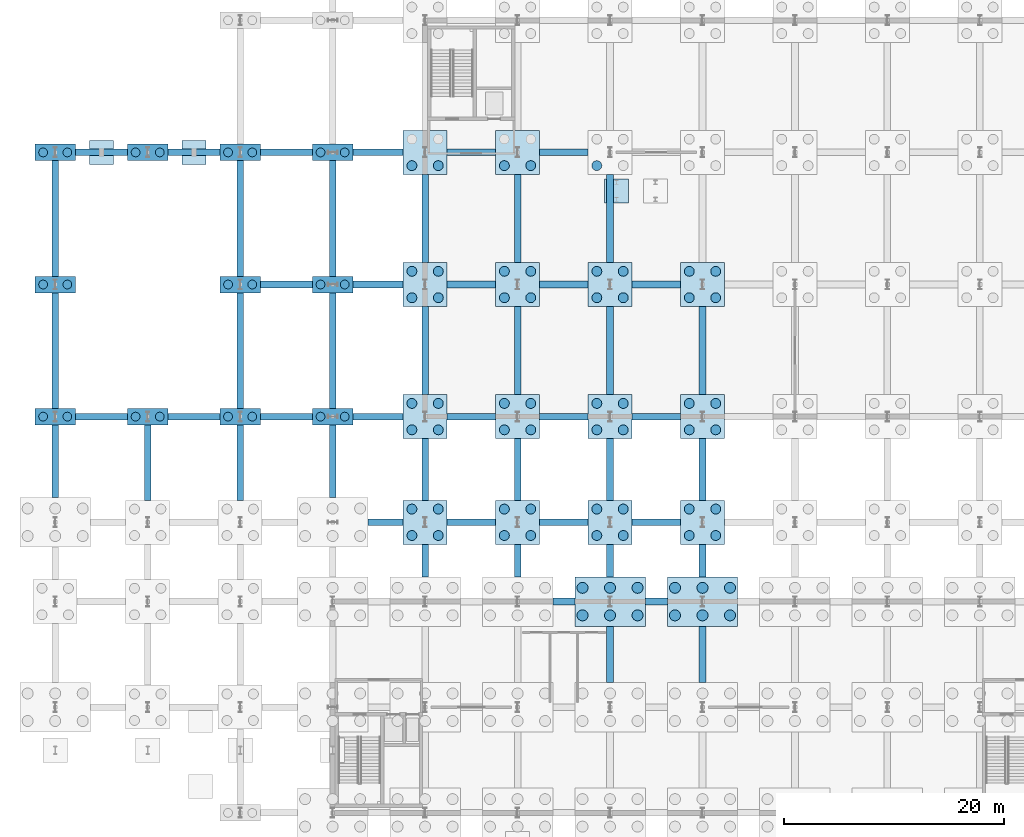
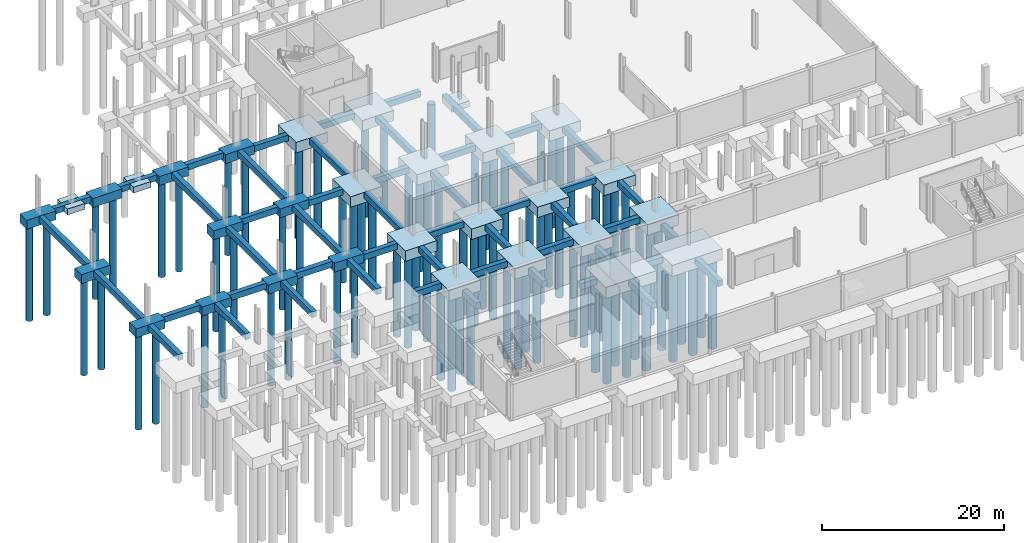
# One storey, part 2 of 29: 87 piles, 81 footings.
"""IFC4 building model written with IfcOpenShell, lengths in metres."""

from ifc_helpers import new_model, si_unit, direction, frame, origin, origin_2d, place, context, subcontext, project, spatial, rectangle, circle, extrude, material, material_profile, profile_set, type_object, element, save


model = new_model("IFC4")

# Units and contexts
model_context = context("Model", 3, precision=1e-05, world=origin(), true_north=direction((0.0, 1.0)))
body_context = subcontext(model_context, "Body", "Model", "MODEL_VIEW")
ifc_project = project(units=[si_unit("LENGTHUNIT", "METRE"), si_unit("AREAUNIT", "SQUARE_METRE"), si_unit("VOLUMEUNIT", "CUBIC_METRE"), si_unit("PLANEANGLEUNIT", "RADIAN"), si_unit("MASSUNIT", "GRAM", prefix="KILO")], contexts=[model_context])

# Site, building, storey
site_placement = place(None, origin())
site = spatial("IfcSite", under=ifc_project, at=site_placement, CompositionType="ELEMENT")
building_placement = place(site_placement, origin())
building = spatial("IfcBuilding", under=site, at=building_placement, Name="Veltarok Museum of Natural Sciences", CompositionType="ELEMENT")
storey_placement = place(building_placement, frame((0.0, 0.0, -4.800048828125)))
storey = spatial("IfcBuildingStorey", under=building, at=storey_placement, Name="B1", CompositionType="ELEMENT", Elevation=-4.800048828125)

# Piles
ifc_material = material(Name="Concrete C35/45", Category="concrete")
ifc_material_profile_1 = material_profile(ifc_material, circle(Radius=0.5, at=origin_2d()), Name="BP D1000")
ifc_profile_set_1 = profile_set([ifc_material_profile_1], Name="Concrete C35/45")
pile_type_1 = type_object("IfcPileType", Name="Bored Bedrock Pile D1000", PredefinedType="BORED", material=ifc_profile_set_1)
for number, where, z_axis, x_axis, name in (
    (1, (54.300048828125, 17.949951171875, -1.89990234375), (0.0, 0.0, -1.0), (1.0, 0.0, 0.0), "Bored Pile BP-1000 199"),
    (2, (56.800048828125, 17.949951171875, -1.89990234375), (0.0, 0.0, -1.0), (1.0, 0.0, 0.0), "Bored Pile BP-1000 200"),
    (3, (59.300048828125, 17.949951171875, -1.89990234375), (0.0, 0.0, -1.0), (1.0, 0.0, 0.0), "Bored Pile BP-1000 201"),
    (4, (54.300048828125, 20.449951171875, -1.89990234375), (0.0, 0.0, -1.0), (1.0, 0.0, 0.0), "Bored Pile BP-1000 202"),
    (5, (56.800048828125, 20.449951171875, -1.89990234375), (0.0, 0.0, -1.0), (1.0, 0.0, 0.0), "Bored Pile BP-1000 203"),
    (6, (59.300048828125, 20.449951171875, -1.89990234375), (0.0, 0.0, -1.0), (1.0, 0.0, 0.0), "Bored Pile BP-1000 204"),
    (7, (62.699951171875, 17.949951171875, -1.89990234375), (0.0, 0.0, -1.0), (1.0, 0.0, 0.0), "Bored Pile BP-1000 245"),
    (8, (65.199951171875, 17.949951171875, -1.89990234375), (0.0, 0.0, -1.0), (1.0, 0.0, 0.0), "Bored Pile BP-1000 246"),
    (9, (67.699951171875, 17.949951171875, -1.89990234375), (0.0, 0.0, -1.0), (1.0, 0.0, 0.0), "Bored Pile BP-1000 247"),
    (10, (62.699951171875, 20.449951171875, -1.89990234375), (0.0, 0.0, -1.0), (1.0, 0.0, 0.0), "Bored Pile BP-1000 248"),
    (11, (65.199951171875, 20.449951171875, -1.89990234375), (0.0, 0.0, -1.0), (1.0, 0.0, 0.0), "Bored Pile BP-1000 249"),
    (12, (67.699951171875, 20.449951171875, -1.89990234375), (0.0, 0.0, -1.0), (1.0, 0.0, 0.0), "Bored Pile BP-1000 250"),
):
    element("IfcPile", number, at=place(storey_placement, frame(where, z_axis=z_axis, x_axis=x_axis)), inside=storey, type_object=pile_type_1, Name=name, PredefinedType="BORED", context=body_context, shape_type="SweptSolid", body=[
        extrude(circle(Radius=0.5, at=origin_2d()), origin(), (0.0, 0.0, 1.0), 12.10009765625),
    ])
ifc_material_profile_2 = material_profile(ifc_material, circle(Radius=0.39990234375, at=origin_2d()), Name="BP D800")
ifc_profile_set_2 = profile_set([ifc_material_profile_2], Name="Concrete C35/45")
pile_type_2 = type_object("IfcPileType", Name="Bored Bedrock Pile D800", PredefinedType="BORED", material=ifc_profile_set_2)
for number, where, z_axis, x_axis, name in (
    (13, (5.300048828125, 36.0, -1.099853515625), (0.0, 0.0, -1.0), (1.0, 0.0, 0.0), "Bored Pile BP-800 17"),
    (14, (7.5, 36.0, -1.099853515625), (0.0, 0.0, -1.0), (1.0, 0.0, 0.0), "Bored Pile BP-800 18"),
    (15, (5.300048828125, 48.0, -1.099853515625), (0.0, 0.0, -1.0), (1.0, 0.0, 0.0), "Bored Pile BP-800 19"),
    (16, (7.5, 48.0, -1.099853515625), (0.0, 0.0, -1.0), (1.0, 0.0, 0.0), "Bored Pile BP-800 20"),
    (17, (5.300048828125, 60.0, -1.099853515625), (0.0, 0.0, -1.0), (1.0, 0.0, 0.0), "Bored Pile BP-800 21"),
    (18, (7.5, 60.0, -1.099853515625), (0.0, 0.0, -1.0), (1.0, 0.0, 0.0), "Bored Pile BP-800 22"),
    (19, (13.699951171875, 36.0, -1.099853515625), (0.0, 0.0, -1.0), (1.0, 0.0, 0.0), "Bored Pile BP-800 35"),
    (20, (15.89990234375, 36.0, -1.099853515625), (0.0, 0.0, -1.0), (1.0, 0.0, 0.0), "Bored Pile BP-800 36"),
    (21, (13.699951171875, 60.0, -1.099853515625), (0.0, 0.0, -1.0), (1.0, 0.0, 0.0), "Bored Pile BP-800 37"),
    (22, (15.89990234375, 60.0, -1.099853515625), (0.0, 0.0, -1.0), (1.0, 0.0, 0.0), "Bored Pile BP-800 38"),
    (23, (22.10009765625, 36.0, -1.099853515625), (0.0, 0.0, -1.0), (1.0, 0.0, 0.0), "Bored Pile BP-800 53"),
    (24, (24.300048828125, 36.0, -1.099853515625), (0.0, 0.0, -1.0), (1.0, 0.0, 0.0), "Bored Pile BP-800 54"),
    (25, (22.10009765625, 48.0, -1.099853515625), (0.0, 0.0, -1.0), (1.0, 0.0, 0.0), "Bored Pile BP-800 55"),
    (26, (24.300048828125, 48.0, -1.099853515625), (0.0, 0.0, -1.0), (1.0, 0.0, 0.0), "Bored Pile BP-800 56"),
    (27, (22.10009765625, 60.0, -1.099853515625), (0.0, 0.0, -1.0), (1.0, 0.0, 0.0), "Bored Pile BP-800 57"),
    (28, (24.300048828125, 60.0, -1.099853515625), (0.0, 0.0, -1.0), (1.0, 0.0, 0.0), "Bored Pile BP-800 58"),
    (29, (30.5, 36.0, -1.099853515625), (0.0, 0.0, -1.0), (1.0, 0.0, 0.0), "Bored Pile BP-800 85"),
    (30, (32.699951171875, 36.0, -1.099853515625), (0.0, 0.0, -1.0), (1.0, 0.0, 0.0), "Bored Pile BP-800 86"),
    (31, (30.5, 48.0, -1.099853515625), (0.0, 0.0, -1.0), (1.0, 0.0, 0.0), "Bored Pile BP-800 87"),
    (32, (32.699951171875, 48.0, -1.099853515625), (0.0, 0.0, -1.0), (1.0, 0.0, 0.0), "Bored Pile BP-800 88"),
    (33, (30.5, 60.0, -1.099853515625), (0.0, 0.0, -1.0), (1.0, 0.0, 0.0), "Bored Pile BP-800 89"),
    (34, (32.699951171875, 60.0, -1.099853515625), (0.0, 0.0, -1.0), (1.0, 0.0, 0.0), "Bored Pile BP-800 90"),
):
    element("IfcPile", number, at=place(storey_placement, frame(where, z_axis=z_axis, x_axis=x_axis)), inside=storey, type_object=pile_type_2, Name=name, PredefinedType="BORED", context=body_context, shape_type="SweptSolid", body=[
        extrude(circle(Radius=0.39990234375, at=origin_2d()), origin(), (0.0, 0.0, 1.0), 12.89990234375),
    ])
ifc_material_profile_3 = material_profile(ifc_material, circle(Radius=0.449951171875, at=origin_2d()), Name="BP D900")
ifc_profile_set_3 = profile_set([ifc_material_profile_3], Name="Concrete C35/45")
pile_type_3 = type_object("IfcPileType", Name="Bored Bedrock Pile D900", PredefinedType="BORED", material=ifc_profile_set_3)
for number, where, z_axis, x_axis, name in (
    (35, (38.800048828125, 25.199951171875, -1.300048828125), (0.0, 0.0, -1.0), (1.0, 0.0, 0.0), "Bored Pile BP-900 117"),
    (36, (41.199951171875, 25.199951171875, -1.300048828125), (0.0, 0.0, -1.0), (1.0, 0.0, 0.0), "Bored Pile BP-900 118"),
    (37, (38.800048828125, 27.60009765625, -1.300048828125), (0.0, 0.0, -1.0), (1.0, 0.0, 0.0), "Bored Pile BP-900 119"),
    (38, (41.199951171875, 27.60009765625, -1.300048828125), (0.0, 0.0, -1.0), (1.0, 0.0, 0.0), "Bored Pile BP-900 120"),
):
    element("IfcPile", number, at=place(storey_placement, frame(where, z_axis=z_axis, x_axis=x_axis)), inside=storey, type_object=pile_type_3, Name=name, PredefinedType="BORED", context=body_context, shape_type="SweptSolid", body=[
        extrude(circle(Radius=0.449951171875, at=origin_2d()), origin(), (0.0, 0.0, 1.0), 12.699951171875),
    ])
for number, where, z_axis, x_axis, name in (
    (39, (38.800048828125, 34.800048828125, -1.800048828125), (0.0, 0.0, -1.0), (1.0, 0.0, 0.0), "Bored Pile BP-900 121"),
    (40, (41.199951171875, 34.800048828125, -1.800048828125), (0.0, 0.0, -1.0), (1.0, 0.0, 0.0), "Bored Pile BP-900 122"),
    (41, (38.800048828125, 37.199951171875, -1.800048828125), (0.0, 0.0, -1.0), (1.0, 0.0, 0.0), "Bored Pile BP-900 123"),
    (42, (41.199951171875, 37.199951171875, -1.800048828125), (0.0, 0.0, -1.0), (1.0, 0.0, 0.0), "Bored Pile BP-900 124"),
    (43, (38.800048828125, 46.800048828125, -1.800048828125), (0.0, 0.0, -1.0), (1.0, 0.0, 0.0), "Bored Pile BP-900 125"),
    (44, (41.199951171875, 46.800048828125, -1.800048828125), (0.0, 0.0, -1.0), (1.0, 0.0, 0.0), "Bored Pile BP-900 126"),
    (45, (38.800048828125, 49.199951171875, -1.800048828125), (0.0, 0.0, -1.0), (1.0, 0.0, 0.0), "Bored Pile BP-900 127"),
    (46, (41.199951171875, 49.199951171875, -1.800048828125), (0.0, 0.0, -1.0), (1.0, 0.0, 0.0), "Bored Pile BP-900 128"),
    (47, (38.800048828125, 58.800048828125, -1.800048828125), (0.0, 0.0, -1.0), (1.0, 0.0, 0.0), "Bored Pile BP-900 129"),
    (48, (41.199951171875, 58.800048828125, -1.800048828125), (0.0, 0.0, -1.0), (1.0, 0.0, 0.0), "Bored Pile BP-900 130"),
):
    element("IfcPile", number, at=place(storey_placement, frame(where, z_axis=z_axis, x_axis=x_axis)), inside=storey, type_object=pile_type_3, Name=name, PredefinedType="BORED", context=body_context, shape_type="SweptSolid", body=[
        extrude(circle(Radius=0.449951171875, at=origin_2d()), origin(), (0.0, 0.0, 1.0), 12.199951171875),
    ])
for number, where, z_axis, x_axis, name in (
    (49, (47.199951171875, 25.199951171875, -1.300048828125), (0.0, 0.0, -1.0), (1.0, 0.0, 0.0), "Bored Pile BP-900 161"),
    (50, (49.60009765625, 25.199951171875, -1.300048828125), (0.0, 0.0, -1.0), (1.0, 0.0, 0.0), "Bored Pile BP-900 162"),
    (51, (47.199951171875, 27.60009765625, -1.300048828125), (0.0, 0.0, -1.0), (1.0, 0.0, 0.0), "Bored Pile BP-900 163"),
    (52, (49.60009765625, 27.60009765625, -1.300048828125), (0.0, 0.0, -1.0), (1.0, 0.0, 0.0), "Bored Pile BP-900 164"),
):
    element("IfcPile", number, at=place(storey_placement, frame(where, z_axis=z_axis, x_axis=x_axis)), inside=storey, type_object=pile_type_3, Name=name, PredefinedType="BORED", context=body_context, shape_type="SweptSolid", body=[
        extrude(circle(Radius=0.449951171875, at=origin_2d()), origin(), (0.0, 0.0, 1.0), 12.699951171875),
    ])
for number, where, z_axis, x_axis, name in (
    (53, (47.199951171875, 34.800048828125, -1.800048828125), (0.0, 0.0, -1.0), (1.0, 0.0, 0.0), "Bored Pile BP-900 165"),
    (54, (49.60009765625, 34.800048828125, -1.800048828125), (0.0, 0.0, -1.0), (1.0, 0.0, 0.0), "Bored Pile BP-900 166"),
    (55, (47.199951171875, 37.199951171875, -1.800048828125), (0.0, 0.0, -1.0), (1.0, 0.0, 0.0), "Bored Pile BP-900 167"),
    (56, (49.60009765625, 37.199951171875, -1.800048828125), (0.0, 0.0, -1.0), (1.0, 0.0, 0.0), "Bored Pile BP-900 168"),
    (57, (47.199951171875, 46.800048828125, -1.800048828125), (0.0, 0.0, -1.0), (1.0, 0.0, 0.0), "Bored Pile BP-900 169"),
    (58, (49.60009765625, 46.800048828125, -1.800048828125), (0.0, 0.0, -1.0), (1.0, 0.0, 0.0), "Bored Pile BP-900 170"),
    (59, (47.199951171875, 49.199951171875, -1.800048828125), (0.0, 0.0, -1.0), (1.0, 0.0, 0.0), "Bored Pile BP-900 171"),
    (60, (49.60009765625, 49.199951171875, -1.800048828125), (0.0, 0.0, -1.0), (1.0, 0.0, 0.0), "Bored Pile BP-900 172"),
    (61, (47.199951171875, 58.800048828125, -1.800048828125), (0.0, 0.0, -1.0), (1.0, 0.0, 0.0), "Bored Pile BP-900 173"),
    (62, (49.60009765625, 58.800048828125, -1.800048828125), (0.0, 0.0, -1.0), (1.0, 0.0, 0.0), "Bored Pile BP-900 174"),
):
    element("IfcPile", number, at=place(storey_placement, frame(where, z_axis=z_axis, x_axis=x_axis)), inside=storey, type_object=pile_type_3, Name=name, PredefinedType="BORED", context=body_context, shape_type="SweptSolid", body=[
        extrude(circle(Radius=0.449951171875, at=origin_2d()), origin(), (0.0, 0.0, 1.0), 12.199951171875),
    ])
for number, where, z_axis, x_axis, name in (
    (63, (55.60009765625, 25.199951171875, -1.300048828125), (0.0, 0.0, -1.0), (1.0, 0.0, 0.0), "Bored Pile BP-900 205"),
    (64, (58.0, 25.199951171875, -1.300048828125), (0.0, 0.0, -1.0), (1.0, 0.0, 0.0), "Bored Pile BP-900 206"),
    (65, (55.60009765625, 27.60009765625, -1.300048828125), (0.0, 0.0, -1.0), (1.0, 0.0, 0.0), "Bored Pile BP-900 207"),
    (66, (58.0, 27.60009765625, -1.300048828125), (0.0, 0.0, -1.0), (1.0, 0.0, 0.0), "Bored Pile BP-900 208"),
):
    element("IfcPile", number, at=place(storey_placement, frame(where, z_axis=z_axis, x_axis=x_axis)), inside=storey, type_object=pile_type_3, Name=name, PredefinedType="BORED", context=body_context, shape_type="SweptSolid", body=[
        extrude(circle(Radius=0.449951171875, at=origin_2d()), origin(), (0.0, 0.0, 1.0), 12.699951171875),
    ])
for number, where, z_axis, x_axis, name in (
    (67, (55.60009765625, 34.800048828125, -1.800048828125), (0.0, 0.0, -1.0), (1.0, 0.0, 0.0), "Bored Pile BP-900 209"),
    (68, (58.0, 34.800048828125, -1.800048828125), (0.0, 0.0, -1.0), (1.0, 0.0, 0.0), "Bored Pile BP-900 210"),
    (69, (55.60009765625, 37.199951171875, -1.800048828125), (0.0, 0.0, -1.0), (1.0, 0.0, 0.0), "Bored Pile BP-900 211"),
    (70, (58.0, 37.199951171875, -1.800048828125), (0.0, 0.0, -1.0), (1.0, 0.0, 0.0), "Bored Pile BP-900 212"),
    (71, (55.60009765625, 46.800048828125, -1.800048828125), (0.0, 0.0, -1.0), (1.0, 0.0, 0.0), "Bored Pile BP-900 213"),
    (72, (58.0, 46.800048828125, -1.800048828125), (0.0, 0.0, -1.0), (1.0, 0.0, 0.0), "Bored Pile BP-900 214"),
    (73, (55.60009765625, 49.199951171875, -1.800048828125), (0.0, 0.0, -1.0), (1.0, 0.0, 0.0), "Bored Pile BP-900 215"),
    (74, (58.0, 49.199951171875, -1.800048828125), (0.0, 0.0, -1.0), (1.0, 0.0, 0.0), "Bored Pile BP-900 216"),
    (75, (55.60009765625, 58.800048828125, -1.800048828125), (0.0, 0.0, -1.0), (1.0, 0.0, 0.0), "Bored Pile BP-900 217"),
):
    element("IfcPile", number, at=place(storey_placement, frame(where, z_axis=z_axis, x_axis=x_axis)), inside=storey, type_object=pile_type_3, Name=name, PredefinedType="BORED", context=body_context, shape_type="SweptSolid", body=[
        extrude(circle(Radius=0.449951171875, at=origin_2d()), origin(), (0.0, 0.0, 1.0), 12.199951171875),
    ])
for number, where, z_axis, x_axis, name in (
    (76, (64.0, 25.199951171875, -1.300048828125), (0.0, 0.0, -1.0), (1.0, 0.0, 0.0), "Bored Pile BP-900 251"),
    (77, (66.39990234375, 25.199951171875, -1.300048828125), (0.0, 0.0, -1.0), (1.0, 0.0, 0.0), "Bored Pile BP-900 252"),
    (78, (64.0, 27.60009765625, -1.300048828125), (0.0, 0.0, -1.0), (1.0, 0.0, 0.0), "Bored Pile BP-900 253"),
    (79, (66.39990234375, 27.60009765625, -1.300048828125), (0.0, 0.0, -1.0), (1.0, 0.0, 0.0), "Bored Pile BP-900 254"),
):
    element("IfcPile", number, at=place(storey_placement, frame(where, z_axis=z_axis, x_axis=x_axis)), inside=storey, type_object=pile_type_3, Name=name, PredefinedType="BORED", context=body_context, shape_type="SweptSolid", body=[
        extrude(circle(Radius=0.449951171875, at=origin_2d()), origin(), (0.0, 0.0, 1.0), 12.699951171875),
    ])
for number, where, z_axis, x_axis, name in (
    (80, (64.0, 34.800048828125, -1.800048828125), (0.0, 0.0, -1.0), (1.0, 0.0, 0.0), "Bored Pile BP-900 255"),
    (81, (66.39990234375, 34.800048828125, -1.800048828125), (0.0, 0.0, -1.0), (1.0, 0.0, 0.0), "Bored Pile BP-900 256"),
    (82, (64.0, 37.199951171875, -1.800048828125), (0.0, 0.0, -1.0), (1.0, 0.0, 0.0), "Bored Pile BP-900 257"),
    (83, (66.39990234375, 37.199951171875, -1.800048828125), (0.0, 0.0, -1.0), (1.0, 0.0, 0.0), "Bored Pile BP-900 258"),
    (84, (64.0, 46.800048828125, -1.800048828125), (0.0, 0.0, -1.0), (1.0, 0.0, 0.0), "Bored Pile BP-900 259"),
    (85, (66.39990234375, 46.800048828125, -1.800048828125), (0.0, 0.0, -1.0), (1.0, 0.0, 0.0), "Bored Pile BP-900 260"),
    (86, (64.0, 49.199951171875, -1.800048828125), (0.0, 0.0, -1.0), (1.0, 0.0, 0.0), "Bored Pile BP-900 261"),
    (87, (66.39990234375, 49.199951171875, -1.800048828125), (0.0, 0.0, -1.0), (1.0, 0.0, 0.0), "Bored Pile BP-900 262"),
):
    element("IfcPile", number, at=place(storey_placement, frame(where, z_axis=z_axis, x_axis=x_axis)), inside=storey, type_object=pile_type_3, Name=name, PredefinedType="BORED", context=body_context, shape_type="SweptSolid", body=[
        extrude(circle(Radius=0.449951171875, at=origin_2d()), origin(), (0.0, 0.0, 1.0), 12.199951171875),
    ])

# Footings
footing_type_1 = type_object("IfcFootingType", Name="Canopy Pad Footing 2200x2200x800", PredefinedType="PAD_FOOTING", material=ifc_material)
for number, where, z_axis, x_axis, name in (
    (88, (10.60009765625, 60.0, -0.7998046875), (0.0, 0.0, 1.0), (1.0, 0.0, 0.0), "Pilaster Pad Footing 1"),
    (89, (19.0, 60.0, -0.7998046875), (0.0, 0.0, 1.0), (1.0, 0.0, 0.0), "Pilaster Pad Footing 2"),
    (90, (57.39990234375, 56.5048828125, -1.2998046875), (0.0, 0.0, 1.0), (1.0, 0.0, 0.0), "Atrium Stair Column Footing 1"),
):
    element("IfcFooting", number, at=place(storey_placement, frame(where, z_axis=z_axis, x_axis=x_axis)), inside=storey, type_object=footing_type_1, Name=name, PredefinedType="PAD_FOOTING", context=body_context, shape_type="SweptSolid", body=[
        extrude(rectangle(XDim=2.199951171875, YDim=2.199951171875, at=origin_2d()), origin(), (0.0, 0.0, 1.0), 0.800048828125),
    ])
footing_type_2 = type_object("IfcFootingType", Name="Four-Pile Cap 4000x4000x1400", PredefinedType="PILE_CAP", material=ifc_material)
for number, where, z_axis, x_axis, name in (
    (91, (40.0, 26.39990234375, -1.39990234375), (0.0, 0.0, 1.0), (1.0, 0.0, 0.0), "Pile Cap PC-4P 5/D"),
    (92, (40.0, 36.0, -1.89990234375), (0.0, 0.0, 1.0), (1.0, 0.0, 0.0), "Pile Cap PC-4P 5/E"),
    (93, (40.0, 48.0, -1.89990234375), (0.0, 0.0, 1.0), (1.0, 0.0, 0.0), "Pile Cap PC-4P 5/F"),
    (94, (40.0, 60.0, -1.89990234375), (0.0, 0.0, 1.0), (1.0, 0.0, 0.0), "Pile Cap PC-4P 5/G"),
    (95, (48.39990234375, 26.39990234375, -1.39990234375), (0.0, 0.0, 1.0), (1.0, 0.0, 0.0), "Pile Cap PC-4P 6/D"),
    (96, (48.39990234375, 36.0, -1.89990234375), (0.0, 0.0, 1.0), (1.0, 0.0, 0.0), "Pile Cap PC-4P 6/E"),
    (97, (48.39990234375, 48.0, -1.89990234375), (0.0, 0.0, 1.0), (1.0, 0.0, 0.0), "Pile Cap PC-4P 6/F"),
    (98, (48.39990234375, 60.0, -1.89990234375), (0.0, 0.0, 1.0), (1.0, 0.0, 0.0), "Pile Cap PC-4P 6/G"),
    (99, (56.800048828125, 26.39990234375, -1.39990234375), (0.0, 0.0, 1.0), (1.0, 0.0, 0.0), "Pile Cap PC-4P 7/D"),
    (100, (56.800048828125, 36.0, -1.89990234375), (0.0, 0.0, 1.0), (1.0, 0.0, 0.0), "Pile Cap PC-4P 7/E"),
    (101, (56.800048828125, 48.0, -1.89990234375), (0.0, 0.0, 1.0), (1.0, 0.0, 0.0), "Pile Cap PC-4P 7/F"),
    (102, (65.199951171875, 26.39990234375, -1.39990234375), (0.0, 0.0, 1.0), (1.0, 0.0, 0.0), "Pile Cap PC-4P 8/D"),
    (103, (65.199951171875, 36.0, -1.89990234375), (0.0, 0.0, 1.0), (1.0, 0.0, 0.0), "Pile Cap PC-4P 8/E"),
    (104, (65.199951171875, 48.0, -1.89990234375), (0.0, 0.0, 1.0), (1.0, 0.0, 0.0), "Pile Cap PC-4P 8/F"),
):
    element("IfcFooting", number, at=place(storey_placement, frame(where, z_axis=z_axis, x_axis=x_axis)), inside=storey, type_object=footing_type_2, Name=name, PredefinedType="PILE_CAP", context=body_context, shape_type="SweptSolid", body=[
        extrude(rectangle(XDim=4.0, YDim=4.0, at=origin_2d()), origin(), (0.0, 0.0, 1.0), 1.39990234375),
    ])
footing_type_3 = type_object("IfcFootingType", Name="Ground Tie Beam 600x800 L10500", PredefinedType="FOOTING_BEAM", material=ifc_material)
for number, where, z_axis, x_axis, name in (
    (105, (6.39990234375, 42.0, -0.7998046875), (0.0, 0.0, 1.0), (0.0, 1.0, 0.0), "Ground Tie Beam GB-10500 1/E-F"),
    (106, (6.39990234375, 54.0, -0.7998046875), (0.0, 0.0, 1.0), (0.0, 1.0, 0.0), "Ground Tie Beam GB-10500 1/F-G"),
    (107, (23.199951171875, 42.0, -0.7998046875), (0.0, 0.0, 1.0), (0.0, 1.0, 0.0), "Ground Tie Beam GB-10500 3/E-F"),
    (108, (23.199951171875, 54.0, -0.7998046875), (0.0, 0.0, 1.0), (0.0, 1.0, 0.0), "Ground Tie Beam GB-10500 3/F-G"),
    (109, (31.60009765625, 42.0, -0.7998046875), (0.0, 0.0, 1.0), (0.0, 1.0, 0.0), "Ground Tie Beam GB-10500 4/E-F"),
    (110, (31.60009765625, 54.0, -0.7998046875), (0.0, 0.0, 1.0), (0.0, 1.0, 0.0), "Ground Tie Beam GB-10500 4/F-G"),
):
    element("IfcFooting", number, at=place(storey_placement, frame(where, z_axis=z_axis, x_axis=x_axis)), inside=storey, type_object=footing_type_3, Name=name, PredefinedType="FOOTING_BEAM", context=body_context, shape_type="SweptSolid", body=[
        extrude(rectangle(XDim=10.5, YDim=0.60009765625, at=origin_2d()), origin(), (0.0, 0.0, 1.0), 0.800048828125),
    ])
footing_type_4 = type_object("IfcFootingType", Name="Ground Tie Beam 600x800 L2000", PredefinedType="FOOTING_BEAM", material=ifc_material)
for number, where, z_axis, x_axis, name in (
    (111, (52.60009765625, 19.199951171875, -1.2998046875), (0.0, 0.0, 1.0), (1.0, 0.0, 0.0), "Ground Tie Beam GB-2000 6-7/C"),
    (112, (61.0, 19.199951171875, -1.2998046875), (0.0, 0.0, 1.0), (1.0, 0.0, 0.0), "Ground Tie Beam GB-2000 7-8/C"),
):
    element("IfcFooting", number, at=place(storey_placement, frame(where, z_axis=z_axis, x_axis=x_axis)), inside=storey, type_object=footing_type_4, Name=name, PredefinedType="FOOTING_BEAM", context=body_context, shape_type="SweptSolid", body=[
        extrude(rectangle(XDim=2.0, YDim=0.60009765625, at=origin_2d()), origin(), (0.0, 0.0, 1.0), 0.800048828125),
    ])
footing_type_5 = type_object("IfcFootingType", Name="Ground Tie Beam 600x800 L2950", PredefinedType="FOOTING_BEAM", material=ifc_material)
for number, where, z_axis, x_axis, name in (
    (113, (40.0, 22.925048828125, -1.2998046875), (0.0, 0.0, 1.0), (0.0, 1.0, 0.0), "Ground Tie Beam GB-2950 5/C-D"),
    (114, (48.39990234375, 22.925048828125, -1.2998046875), (0.0, 0.0, 1.0), (0.0, 1.0, 0.0), "Ground Tie Beam GB-2950 6/C-D"),
    (115, (56.800048828125, 22.925048828125, -1.2998046875), (0.0, 0.0, 1.0), (0.0, 1.0, 0.0), "Ground Tie Beam GB-2950 7/C-D"),
    (116, (65.199951171875, 22.925048828125, -1.2998046875), (0.0, 0.0, 1.0), (0.0, 1.0, 0.0), "Ground Tie Beam GB-2950 8/C-D"),
):
    element("IfcFooting", number, at=place(storey_placement, frame(where, z_axis=z_axis, x_axis=x_axis)), inside=storey, type_object=footing_type_5, Name=name, PredefinedType="FOOTING_BEAM", context=body_context, shape_type="SweptSolid", body=[
        extrude(rectangle(XDim=2.949951171875, YDim=0.60009765625, at=origin_2d()), origin(), (0.0, 0.0, 1.0), 0.800048828125),
    ])
footing_type_6 = type_object("IfcFootingType", Name="Ground Tie Beam 600x800 L3200", PredefinedType="FOOTING_BEAM", material=ifc_material)
footing_placement = place(storey_placement, frame((36.39990234375, 26.39990234375, -0.7998046875), z_axis=(0.0, 0.0, 1.0), x_axis=(1.0, 0.0, 0.0)))
element("IfcFooting", 117, at=footing_placement, inside=storey, type_object=footing_type_6, Name="Ground Tie Beam GB-3200 4-5/D", PredefinedType="FOOTING_BEAM", context=body_context, shape_type="SweptSolid", body=[
    extrude(rectangle(XDim=3.199951171875, YDim=0.60009765625, at=origin_2d()), origin(), (0.0, 0.0, 1.0), 0.800048828125),
])
footing_type_7 = type_object("IfcFootingType", Name="Ground Tie Beam 600x800 L4400", PredefinedType="FOOTING_BEAM", material=ifc_material)
for number, where, z_axis, x_axis, name in (
    (118, (44.199951171875, 26.39990234375, -0.7998046875), (0.0, 0.0, 1.0), (1.0, 0.0, 0.0), "Ground Tie Beam GB-4400 5-6/D"),
    (119, (52.60009765625, 26.39990234375, -0.7998046875), (0.0, 0.0, 1.0), (1.0, 0.0, 0.0), "Ground Tie Beam GB-4400 6-7/D"),
    (120, (61.0, 26.39990234375, -0.7998046875), (0.0, 0.0, 1.0), (1.0, 0.0, 0.0), "Ground Tie Beam GB-4400 7-8/D"),
    (121, (44.199951171875, 36.0, -1.2998046875), (0.0, 0.0, 1.0), (1.0, 0.0, 0.0), "Ground Tie Beam GB-4400 5-6/E"),
    (122, (52.60009765625, 36.0, -1.2998046875), (0.0, 0.0, 1.0), (1.0, 0.0, 0.0), "Ground Tie Beam GB-4400 6-7/E"),
    (123, (61.0, 36.0, -1.2998046875), (0.0, 0.0, 1.0), (1.0, 0.0, 0.0), "Ground Tie Beam GB-4400 7-8/E"),
    (124, (44.199951171875, 48.0, -1.2998046875), (0.0, 0.0, 1.0), (1.0, 0.0, 0.0), "Ground Tie Beam GB-4400 5-6/F"),
    (125, (52.60009765625, 48.0, -1.2998046875), (0.0, 0.0, 1.0), (1.0, 0.0, 0.0), "Ground Tie Beam GB-4400 6-7/F"),
    (126, (61.0, 48.0, -1.2998046875), (0.0, 0.0, 1.0), (1.0, 0.0, 0.0), "Ground Tie Beam GB-4400 7-8/F"),
    (127, (44.199951171875, 60.0, -1.2998046875), (0.0, 0.0, 1.0), (1.0, 0.0, 0.0), "Ground Tie Beam GB-4400 5-6/G"),
    (128, (52.60009765625, 60.0, -1.2998046875), (0.0, 0.0, 1.0), (1.0, 0.0, 0.0), "Ground Tie Beam GB-4400 6-7/G"),
):
    element("IfcFooting", number, at=place(storey_placement, frame(where, z_axis=z_axis, x_axis=x_axis)), inside=storey, type_object=footing_type_7, Name=name, PredefinedType="FOOTING_BEAM", context=body_context, shape_type="SweptSolid", body=[
        extrude(rectangle(XDim=4.39990234375, YDim=0.60009765625, at=origin_2d()), origin(), (0.0, 0.0, 1.0), 0.800048828125),
    ])
footing_type_8 = type_object("IfcFootingType", Name="Ground Tie Beam 600x800 L4550", PredefinedType="FOOTING_BEAM", material=ifc_material)
for number, where, z_axis, x_axis, name in (
    (129, (35.72509765625, 36.0, -1.2998046875), (0.0, 0.0, 1.0), (1.0, 0.0, 0.0), "Ground Tie Beam GB-4550 4-5/E"),
    (130, (35.72509765625, 48.0, -1.2998046875), (0.0, 0.0, 1.0), (1.0, 0.0, 0.0), "Ground Tie Beam GB-4550 4-5/F"),
    (131, (35.72509765625, 60.0, -1.2998046875), (0.0, 0.0, 1.0), (1.0, 0.0, 0.0), "Ground Tie Beam GB-4550 4-5/G"),
):
    element("IfcFooting", number, at=place(storey_placement, frame(where, z_axis=z_axis, x_axis=x_axis)), inside=storey, type_object=footing_type_8, Name=name, PredefinedType="FOOTING_BEAM", context=body_context, shape_type="SweptSolid", body=[
        extrude(rectangle(XDim=4.550048828125, YDim=0.60009765625, at=origin_2d()), origin(), (0.0, 0.0, 1.0), 0.800048828125),
    ])
footing_type_9 = type_object("IfcFootingType", Name="Ground Tie Beam 600x800 L4700", PredefinedType="FOOTING_BEAM", material=ifc_material)
for number, where, z_axis, x_axis, name in (
    (132, (10.60009765625, 36.0, -0.7998046875), (0.0, 0.0, 1.0), (1.0, 0.0, 0.0), "Ground Tie Beam GB-4700 1-2/E"),
    (133, (19.0, 36.0, -0.7998046875), (0.0, 0.0, 1.0), (1.0, 0.0, 0.0), "Ground Tie Beam GB-4700 2-3/E"),
    (134, (27.39990234375, 36.0, -0.7998046875), (0.0, 0.0, 1.0), (1.0, 0.0, 0.0), "Ground Tie Beam GB-4700 3-4/E"),
    (135, (27.39990234375, 48.0, -0.7998046875), (0.0, 0.0, 1.0), (1.0, 0.0, 0.0), "Ground Tie Beam GB-4700 3-4/F"),
    (136, (10.60009765625, 60.0, -0.7998046875), (0.0, 0.0, 1.0), (1.0, 0.0, 0.0), "Ground Tie Beam GB-4700 1-2/G"),
    (137, (19.0, 60.0, -0.7998046875), (0.0, 0.0, 1.0), (1.0, 0.0, 0.0), "Ground Tie Beam GB-4700 2-3/G"),
    (138, (27.39990234375, 60.0, -0.7998046875), (0.0, 0.0, 1.0), (1.0, 0.0, 0.0), "Ground Tie Beam GB-4700 3-4/G"),
):
    element("IfcFooting", number, at=place(storey_placement, frame(where, z_axis=z_axis, x_axis=x_axis)), inside=storey, type_object=footing_type_9, Name=name, PredefinedType="FOOTING_BEAM", context=body_context, shape_type="SweptSolid", body=[
        extrude(rectangle(XDim=4.699951171875, YDim=0.60009765625, at=origin_2d()), origin(), (0.0, 0.0, 1.0), 0.800048828125),
    ])
footing_type_10 = type_object("IfcFootingType", Name="Ground Tie Beam 600x800 L5100", PredefinedType="FOOTING_BEAM", material=ifc_material)
for number, where, z_axis, x_axis, name in (
    (139, (56.800048828125, 14.39990234375, -1.2998046875), (0.0, 0.0, 1.0), (0.0, 1.0, 0.0), "Ground Tie Beam GB-5100 7/B-C"),
    (140, (65.199951171875, 14.39990234375, -1.2998046875), (0.0, 0.0, 1.0), (0.0, 1.0, 0.0), "Ground Tie Beam GB-5100 8/B-C"),
):
    element("IfcFooting", number, at=place(storey_placement, frame(where, z_axis=z_axis, x_axis=x_axis)), inside=storey, type_object=footing_type_10, Name=name, PredefinedType="FOOTING_BEAM", context=body_context, shape_type="SweptSolid", body=[
        extrude(rectangle(XDim=5.10009765625, YDim=0.60009765625, at=origin_2d()), origin(), (0.0, 0.0, 1.0), 0.800048828125),
    ])
footing_type_11 = type_object("IfcFootingType", Name="Ground Tie Beam 600x800 L5600", PredefinedType="FOOTING_BEAM", material=ifc_material)
for number, where, z_axis, x_axis, name in (
    (141, (40.0, 31.199951171875, -1.2998046875), (0.0, 0.0, 1.0), (0.0, 1.0, 0.0), "Ground Tie Beam GB-5600 5/D-E"),
    (142, (48.39990234375, 31.199951171875, -1.2998046875), (0.0, 0.0, 1.0), (0.0, 1.0, 0.0), "Ground Tie Beam GB-5600 6/D-E"),
    (143, (56.800048828125, 31.199951171875, -1.2998046875), (0.0, 0.0, 1.0), (0.0, 1.0, 0.0), "Ground Tie Beam GB-5600 7/D-E"),
    (144, (65.199951171875, 31.199951171875, -1.2998046875), (0.0, 0.0, 1.0), (0.0, 1.0, 0.0), "Ground Tie Beam GB-5600 8/D-E"),
):
    element("IfcFooting", number, at=place(storey_placement, frame(where, z_axis=z_axis, x_axis=x_axis)), inside=storey, type_object=footing_type_11, Name=name, PredefinedType="FOOTING_BEAM", context=body_context, shape_type="SweptSolid", body=[
        extrude(rectangle(XDim=5.60009765625, YDim=0.60009765625, at=origin_2d()), origin(), (0.0, 0.0, 1.0), 0.800048828125),
    ])
footing_type_12 = type_object("IfcFootingType", Name="Ground Tie Beam 600x800 L6600", PredefinedType="FOOTING_BEAM", material=ifc_material)
for number, where, z_axis, x_axis, name in (
    (145, (6.39990234375, 31.949951171875, -0.7998046875), (0.0, 0.0, 1.0), (0.0, 1.0, 0.0), "Ground Tie Beam GB-6600 1/D-E"),
    (146, (31.60009765625, 31.949951171875, -0.7998046875), (0.0, 0.0, 1.0), (0.0, 1.0, 0.0), "Ground Tie Beam GB-6600 4/D-E"),
):
    element("IfcFooting", number, at=place(storey_placement, frame(where, z_axis=z_axis, x_axis=x_axis)), inside=storey, type_object=footing_type_12, Name=name, PredefinedType="FOOTING_BEAM", context=body_context, shape_type="SweptSolid", body=[
        extrude(rectangle(XDim=6.60009765625, YDim=0.60009765625, at=origin_2d()), origin(), (0.0, 0.0, 1.0), 0.800048828125),
    ])
footing_type_13 = type_object("IfcFootingType", Name="Ground Tie Beam 600x800 L6850", PredefinedType="FOOTING_BEAM", material=ifc_material)
for number, where, z_axis, x_axis, name in (
    (147, (14.800048828125, 31.824951171875, -0.7998046875), (0.0, 0.0, 1.0), (0.0, 1.0, 0.0), "Ground Tie Beam GB-6850 2/D-E"),
    (148, (23.199951171875, 31.824951171875, -0.7998046875), (0.0, 0.0, 1.0), (0.0, 1.0, 0.0), "Ground Tie Beam GB-6850 3/D-E"),
):
    element("IfcFooting", number, at=place(storey_placement, frame(where, z_axis=z_axis, x_axis=x_axis)), inside=storey, type_object=footing_type_13, Name=name, PredefinedType="FOOTING_BEAM", context=body_context, shape_type="SweptSolid", body=[
        extrude(rectangle(XDim=6.85009765625, YDim=0.60009765625, at=origin_2d()), origin(), (0.0, 0.0, 1.0), 0.800048828125),
    ])
footing_type_14 = type_object("IfcFootingType", Name="Ground Tie Beam 600x800 L8000", PredefinedType="FOOTING_BEAM", material=ifc_material)
for number, where, z_axis, x_axis, name in (
    (149, (40.0, 42.0, -1.2998046875), (0.0, 0.0, 1.0), (0.0, 1.0, 0.0), "Ground Tie Beam GB-8000 5/E-F"),
    (150, (40.0, 54.0, -1.2998046875), (0.0, 0.0, 1.0), (0.0, 1.0, 0.0), "Ground Tie Beam GB-8000 5/F-G"),
    (151, (48.39990234375, 42.0, -1.2998046875), (0.0, 0.0, 1.0), (0.0, 1.0, 0.0), "Ground Tie Beam GB-8000 6/E-F"),
    (152, (48.39990234375, 54.0, -1.2998046875), (0.0, 0.0, 1.0), (0.0, 1.0, 0.0), "Ground Tie Beam GB-8000 6/F-G"),
    (153, (56.800048828125, 42.0, -1.2998046875), (0.0, 0.0, 1.0), (0.0, 1.0, 0.0), "Ground Tie Beam GB-8000 7/E-F"),
    (154, (56.800048828125, 54.0, -1.2998046875), (0.0, 0.0, 1.0), (0.0, 1.0, 0.0), "Ground Tie Beam GB-8000 7/F-G"),
    (155, (65.199951171875, 42.0, -1.2998046875), (0.0, 0.0, 1.0), (0.0, 1.0, 0.0), "Ground Tie Beam GB-8000 8/E-F"),
):
    element("IfcFooting", number, at=place(storey_placement, frame(where, z_axis=z_axis, x_axis=x_axis)), inside=storey, type_object=footing_type_14, Name=name, PredefinedType="FOOTING_BEAM", context=body_context, shape_type="SweptSolid", body=[
        extrude(rectangle(XDim=8.0, YDim=0.60009765625, at=origin_2d()), origin(), (0.0, 0.0, 1.0), 0.800048828125),
    ])
footing_type_15 = type_object("IfcFootingType", Name="Six-Pile Heavy Cap 6400x4300x1500", PredefinedType="PILE_CAP", material=ifc_material)
for number, where, z_axis, x_axis, name in (
    (156, (56.800048828125, 19.199951171875, -2.0), (0.0, 0.0, 1.0), (1.0, 0.0, 0.0), "Pile Cap PC-6P 7/C"),
    (157, (65.199951171875, 19.199951171875, -2.0), (0.0, 0.0, 1.0), (1.0, 0.0, 0.0), "Pile Cap PC-6P 8/C"),
):
    element("IfcFooting", number, at=place(storey_placement, frame(where, z_axis=z_axis, x_axis=x_axis)), inside=storey, type_object=footing_type_15, Name=name, PredefinedType="PILE_CAP", context=body_context, shape_type="SweptSolid", body=[
        extrude(rectangle(XDim=6.39990234375, YDim=4.5, at=origin_2d()), origin(), (0.0, 0.0, 1.0), 1.5),
    ])
footing_type_16 = type_object("IfcFootingType", Name="Two-Pile Cap 3700x1500x1200", PredefinedType="PILE_CAP", material=ifc_material)
for number, where, z_axis, x_axis, name in (
    (158, (6.39990234375, 36.0, -1.19970703125), (0.0, 0.0, 1.0), (1.0, 0.0, 0.0), "Pile Cap PC-2P 1/E"),
    (159, (6.39990234375, 48.0, -1.19970703125), (0.0, 0.0, 1.0), (1.0, 0.0, 0.0), "Pile Cap PC-2P 1/F"),
    (160, (6.39990234375, 60.0, -1.19970703125), (0.0, 0.0, 1.0), (1.0, 0.0, 0.0), "Pile Cap PC-2P 1/G"),
    (161, (14.800048828125, 36.0, -1.19970703125), (0.0, 0.0, 1.0), (1.0, 0.0, 0.0), "Pile Cap PC-2P 2/E"),
    (162, (14.800048828125, 60.0, -1.19970703125), (0.0, 0.0, 1.0), (1.0, 0.0, 0.0), "Pile Cap PC-2P 2/G"),
    (163, (23.199951171875, 36.0, -1.19970703125), (0.0, 0.0, 1.0), (1.0, 0.0, 0.0), "Pile Cap PC-2P 3/E"),
    (164, (23.199951171875, 48.0, -1.19970703125), (0.0, 0.0, 1.0), (1.0, 0.0, 0.0), "Pile Cap PC-2P 3/F"),
    (165, (23.199951171875, 60.0, -1.19970703125), (0.0, 0.0, 1.0), (1.0, 0.0, 0.0), "Pile Cap PC-2P 3/G"),
    (166, (31.60009765625, 36.0, -1.19970703125), (0.0, 0.0, 1.0), (1.0, 0.0, 0.0), "Pile Cap PC-2P 4/E"),
    (167, (31.60009765625, 48.0, -1.19970703125), (0.0, 0.0, 1.0), (1.0, 0.0, 0.0), "Pile Cap PC-2P 4/F"),
    (168, (31.60009765625, 60.0, -1.19970703125), (0.0, 0.0, 1.0), (1.0, 0.0, 0.0), "Pile Cap PC-2P 4/G"),
):
    element("IfcFooting", number, at=place(storey_placement, frame(where, z_axis=z_axis, x_axis=x_axis)), inside=storey, type_object=footing_type_16, Name=name, PredefinedType="PILE_CAP", context=body_context, shape_type="SweptSolid", body=[
        extrude(rectangle(XDim=3.699951171875, YDim=1.5, at=origin_2d()), origin(), (0.0, 0.0, 1.0), 1.199951171875),
    ])

save(model, "model.ifc")
